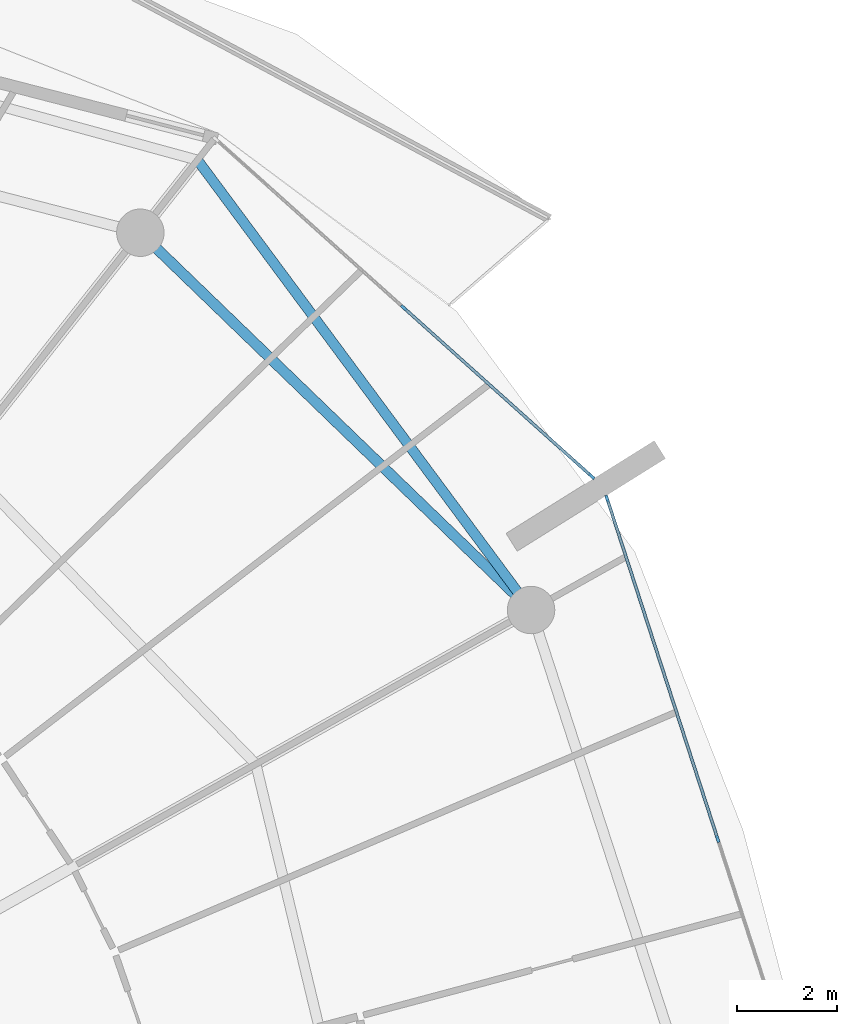
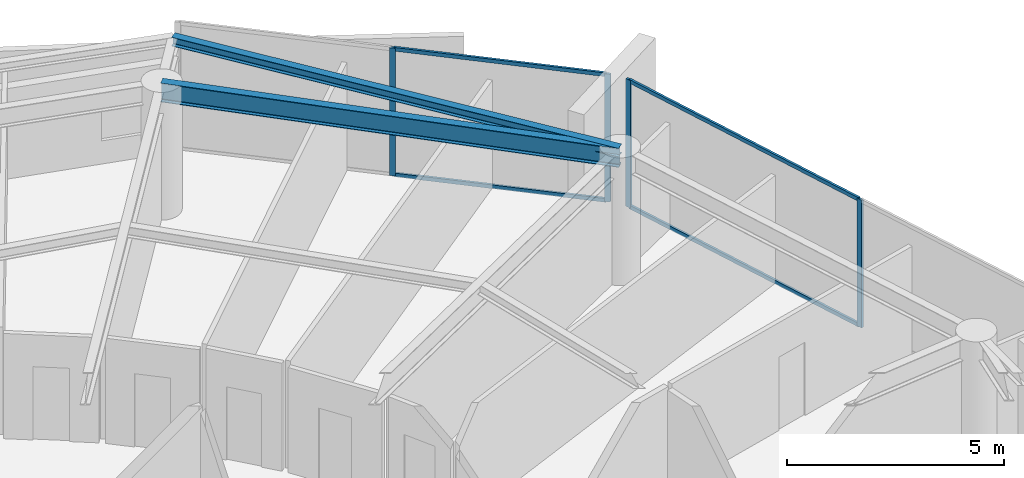
# One storey, part 15 of 30: 8 members, 2 beams, 2 elements without a shape of their own.
"""IFC4 building model written with IfcOpenShell, lengths in metres."""

from ifc_helpers import new_model, si_unit, direction, frame, origin, origin_2d, place, context, subcontext, project, spatial, rectangle, i_section, extrude, material, layer, layer_set, material_profile, profile_set, type_object, element, aggregate, save


model = new_model("IFC4")

# Units and contexts
model_context = context("Model", 3, precision=1e-05, world=origin(), true_north=direction((0.0, 1.0)))
body_context = subcontext(model_context, "Body", "Model", "MODEL_VIEW")
ifc_project = project(units=[si_unit("LENGTHUNIT", "METRE"), si_unit("AREAUNIT", "SQUARE_METRE"), si_unit("VOLUMEUNIT", "CUBIC_METRE"), si_unit("PLANEANGLEUNIT", "RADIAN"), si_unit("MASSUNIT", "GRAM", prefix="KILO")], contexts=[model_context])

# Site, building, storey
site_placement = place(None, origin())
site = spatial("IfcSite", under=ifc_project, at=site_placement, CompositionType="ELEMENT")
building_placement = place(site_placement, origin())
building = spatial("IfcBuilding", under=site, at=building_placement, Name="Kazma Halo Residences", CompositionType="ELEMENT")
storey_placement = place(building_placement, frame((0.0, 0.0, 263.64990234375)))
storey = spatial("IfcBuildingStorey", under=building, at=storey_placement, Name="L66", CompositionType="ELEMENT", Elevation=263.64990234375)

# Beams
ifc_material_1 = material(Name="Steel S355", Category="steel")
ifc_material_profile_1 = material_profile(ifc_material_1, i_section(OverallWidth=0.201904296875, OverallDepth=0.2470703125, WebThickness=0.00732421875, FlangeThickness=0.010986328125, FilletRadius=0.011962890625, at=origin_2d()), Name="W250x49.1")
ifc_profile_set_1 = profile_set([ifc_material_profile_1], Name="Steel S355")
beam_type_1 = type_object("IfcBeamType", Name="BM-BAL-CANT", PredefinedType="BEAM", material=ifc_profile_set_1)
beam_1_placement = place(storey_placement, frame((72.67041015625, 55.81591796875, 3.466552734375), z_axis=(-0.595556062515, 0.803313747176, 0.0), x_axis=(-0.803313747176, -0.595556062515, 0.0)))
element("IfcBeam", 1, at=beam_1_placement, inside=storey, type_object=beam_type_1, Name="L66 wave-balcony lead tie beam 01", PredefinedType="BEAM", context=body_context, shape_type="SweptSolid", body=[
    extrude(i_section(OverallWidth=0.201904296875, OverallDepth=0.2470703125, WebThickness=0.00732421875, FlangeThickness=0.010986328125, FilletRadius=0.011962890625, at=origin_2d()), origin(), (0.0, 0.0, 1.0), 11.213134765625),
])
ifc_material_profile_2 = material_profile(ifc_material_1, i_section(OverallWidth=0.208984375, OverallDepth=0.532958984375, WebThickness=0.01025390625, FlangeThickness=0.015625, FilletRadius=0.01611328125, at=origin_2d()), Name="W530x92")
ifc_profile_set_2 = profile_set([ifc_material_profile_2], Name="Steel S355")
beam_type_2 = type_object("IfcBeamType", Name="BM-SPN-W530", PredefinedType="BEAM", material=ifc_profile_set_2)
beam_2_placement = place(storey_placement, frame((72.67041015625, 55.81591796875, 3.323486328125), z_axis=(-0.719345757929, 0.694652201141, 0.0), x_axis=(-0.694652201141, -0.719345757929, 0.0)))
element("IfcBeam", 2, at=beam_2_placement, inside=storey, type_object=beam_type_2, Name="L66 perimeter ring beam 01", PredefinedType="BEAM", context=body_context, shape_type="SweptSolid", body=[
    extrude(i_section(OverallWidth=0.208984375, OverallDepth=0.532958984375, WebThickness=0.01025390625, FlangeThickness=0.015625, FilletRadius=0.01611328125, at=origin_2d()), origin(), (0.0, 0.0, 1.0), 10.87548828125),
])

# Curtain wall, members
ifc_material_2 = material(Name="Aluminium AW-6063 T6 and Triple-Silver Low-E Glass", Category="aluminium")
ifc_layer = layer(ifc_material_2, 0.139892578125)
ifc_layer_set = layer_set([ifc_layer], Name="Aluminium AW-6063 T6 and Triple-Silver Low-E Glass")
curtain_wall_type = type_object("IfcCurtainWallType", Name="CW-SYS-5", PredefinedType="NOTDEFINED", material=ifc_layer_set)
curtain_wall_1_placement = place(storey_placement, origin())
curtain_wall_1 = element("IfcCurtainWall", 3, at=curtain_wall_1_placement, inside=storey, type_object=curtain_wall_type, Name="L66 unitised curtain wall B01", PredefinedType="NOTDEFINED")
ifc_material_3 = material(Name="Aluminium AW-6063 T6", Category="aluminium")
ifc_material_profile_3 = material_profile(ifc_material_3, rectangle(XDim=0.06005859375, YDim=0.139892578125, at=origin_2d()), Name="CWM-60x140")
ifc_profile_set_3 = profile_set([ifc_material_profile_3], Name="Aluminium AW-6063 T6")
member_type_1 = type_object("IfcMemberType", Name="CW-SYS-5-MUL", PredefinedType="MULLION", material=ifc_profile_set_3)
member_1_placement = place(storey_placement, frame((73.88330078125, 58.491943359375, 0.0), z_axis=(0.0, 0.0, 1.0), x_axis=(-0.667804826958, -0.744336424671, 0.0)))
member_1 = element("IfcMember", 4, at=member_1_placement, type_object=member_type_1, Name="CWS-5 mullion 1", PredefinedType="MULLION", context=body_context, shape_type="SweptSolid", body=[
    extrude(rectangle(XDim=0.06005859375, YDim=0.139892578125, at=origin_2d()), origin(), (0.0, 0.0, 1.0), 3.590087890625),
])
member_2_placement = place(storey_placement, frame((70.121826171875, 61.86669921875, 0.0), z_axis=(0.0, 0.0, 1.0), x_axis=(-0.667804826958, -0.744336424671, 0.0)))
member_2 = element("IfcMember", 5, at=member_2_placement, type_object=member_type_1, Name="CWS-5 mullion 2", PredefinedType="MULLION", context=body_context, shape_type="SweptSolid", body=[
    extrude(rectangle(XDim=0.06005859375, YDim=0.139892578125, at=origin_2d()), origin(), (0.0, 0.0, 1.0), 3.590087890625),
])

curtain_wall_2_placement = place(storey_placement, origin())
curtain_wall_2 = element("IfcCurtainWall", 6, at=curtain_wall_2_placement, inside=storey, type_object=curtain_wall_type, Name="L66 unitised curtain wall B16", PredefinedType="NOTDEFINED")
member_3_placement = place(storey_placement, frame((76.40771484375, 51.230224609375, 0.0), z_axis=(0.0, 0.0, 1.0), x_axis=(-0.951058464359, -0.309010998786, 0.0)))
member_3 = element("IfcMember", 7, at=member_3_placement, type_object=member_type_1, Name="CWS-5 mullion 2", PredefinedType="MULLION", context=body_context, shape_type="SweptSolid", body=[
    extrude(rectangle(XDim=0.06005859375, YDim=0.139892578125, at=origin_2d()), origin(), (0.0, 0.0, 1.0), 3.590087890625),
])
member_4_placement = place(storey_placement, frame((74.1923828125, 58.0478515625, 0.0), z_axis=(0.0, 0.0, 1.0), x_axis=(-0.951058464359, -0.309010998786, 0.0)))
member_4 = element("IfcMember", 8, at=member_4_placement, type_object=member_type_1, Name="CWS-5 mullion 3", PredefinedType="MULLION", context=body_context, shape_type="SweptSolid", body=[
    extrude(rectangle(XDim=0.06005859375, YDim=0.139892578125, at=origin_2d()), origin(), (0.0, 0.0, 1.0), 3.590087890625),
])

# Member
ifc_material_profile_4 = material_profile(ifc_material_3, rectangle(XDim=0.06005859375, YDim=0.10498046875, at=origin_2d()), Name="CWT-60x105")
ifc_profile_set_4 = profile_set([ifc_material_profile_4], Name="Aluminium AW-6063 T6")
member_type_2 = type_object("IfcMemberType", Name="CW-SYS-5-TRN", PredefinedType="USERDEFINED", material=ifc_profile_set_4)
member_5_placement = place(storey_placement, frame((73.861083984375, 58.511962890625, 0.030029296875), z_axis=(-0.744328897483, 0.667813216679, 0.0), x_axis=(-0.667813216679, -0.744328897483, 0.0)))
member_5 = element("IfcMember", 9, at=member_5_placement, type_object=member_type_2, Name="CWS-5 transom 1.1", ObjectType="TRANSOM", PredefinedType="USERDEFINED", context=body_context, shape_type="SweptSolid", body=[
    extrude(rectangle(XDim=0.06005859375, YDim=0.10498046875, at=origin_2d()), origin(), (0.0, 0.0, 1.0), 4.993408203125),
])

member_6_placement = place(storey_placement, frame((73.861083984375, 58.511962890625, 3.56005859375), z_axis=(-0.744328897483, 0.667813216679, 0.0), x_axis=(-0.667813216679, -0.744328897483, 0.0)))
member_6 = element("IfcMember", 10, at=member_6_placement, type_object=member_type_2, Name="CWS-5 transom 1.2", ObjectType="TRANSOM", PredefinedType="USERDEFINED", context=body_context, shape_type="SweptSolid", body=[
    extrude(rectangle(XDim=0.06005859375, YDim=0.10498046875, at=origin_2d()), origin(), (0.0, 0.0, 1.0), 4.993408203125),
])

aggregate(curtain_wall_1, [member_1, member_2, member_5, member_6])

member_7_placement = place(storey_placement, frame((76.3984375, 51.2587890625, 0.030029296875), z_axis=(-0.309027052142, 0.95105324827, 0.0), x_axis=(-0.95105324827, -0.309027052142, 0.0)))
member_7 = element("IfcMember", 11, at=member_7_placement, type_object=member_type_2, Name="CWS-5 transom 2.1", ObjectType="TRANSOM", PredefinedType="USERDEFINED", context=body_context, shape_type="SweptSolid", body=[
    extrude(rectangle(XDim=0.06005859375, YDim=0.10498046875, at=origin_2d()), origin(), (0.0, 0.0, 1.0), 7.108642578125),
])

member_8_placement = place(storey_placement, frame((76.3984375, 51.2587890625, 3.56005859375), z_axis=(-0.309027052142, 0.95105324827, 0.0), x_axis=(-0.95105324827, -0.309027052142, 0.0)))
member_8 = element("IfcMember", 12, at=member_8_placement, type_object=member_type_2, Name="CWS-5 transom 2.2", ObjectType="TRANSOM", PredefinedType="USERDEFINED", context=body_context, shape_type="SweptSolid", body=[
    extrude(rectangle(XDim=0.06005859375, YDim=0.10498046875, at=origin_2d()), origin(), (0.0, 0.0, 1.0), 7.108642578125),
])

aggregate(curtain_wall_2, [member_3, member_4, member_7, member_8])

save(model, "model.ifc")
